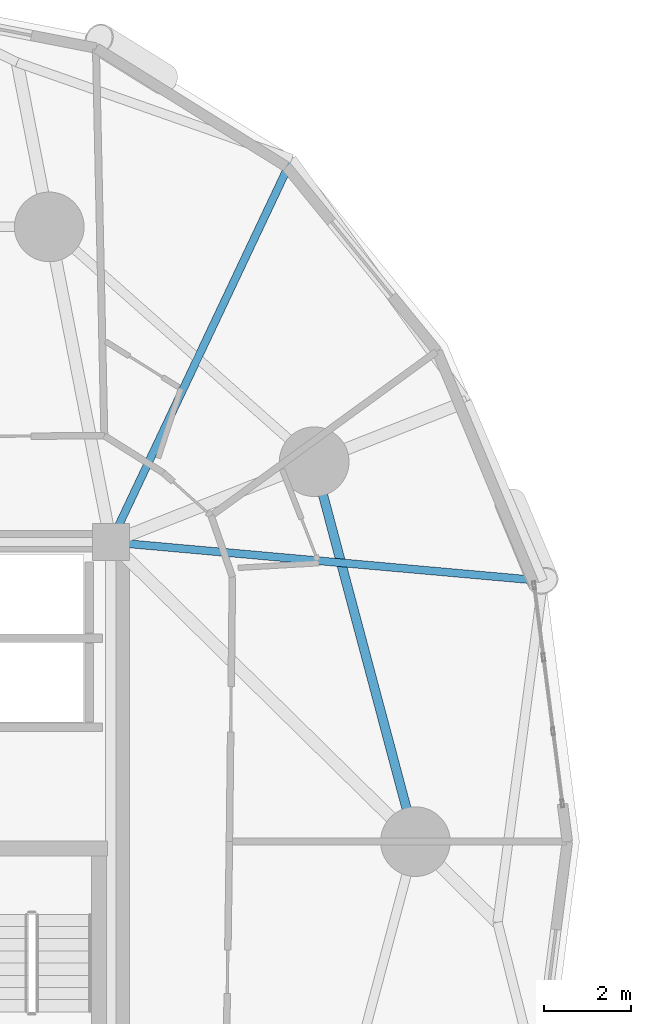
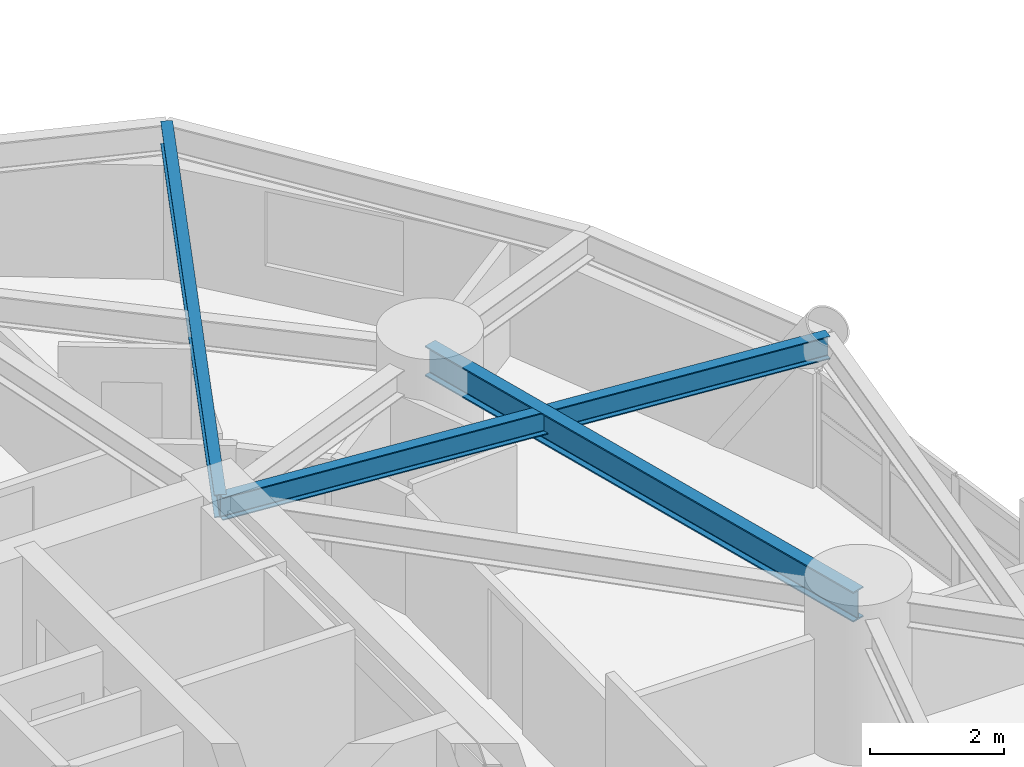
# One storey, part 3 of 18: 3 beams.
"""IFC4 building model written with IfcOpenShell, lengths in metres."""

from ifc_helpers import new_model, si_unit, direction, frame, origin, origin_2d, place, context, subcontext, project, spatial, i_section, extrude, material, material_profile, profile_set, type_object, element, save


model = new_model("IFC4")

# Units and contexts
model_context = context("Model", 3, precision=1e-05, world=origin(), true_north=direction((0.0, 1.0)))
body_context = subcontext(model_context, "Body", "Model", "MODEL_VIEW")
ifc_project = project(units=[si_unit("LENGTHUNIT", "METRE"), si_unit("AREAUNIT", "SQUARE_METRE"), si_unit("VOLUMEUNIT", "CUBIC_METRE"), si_unit("PLANEANGLEUNIT", "RADIAN"), si_unit("MASSUNIT", "GRAM", prefix="KILO")], contexts=[model_context])

# Site, building, storey
site_placement = place(None, origin())
site = spatial("IfcSite", under=ifc_project, at=site_placement, CompositionType="ELEMENT")
building_placement = place(site_placement, origin())
building = spatial("IfcBuilding", under=site, at=building_placement, Name="Cununo Teusaquillo Station Towers", CompositionType="ELEMENT")
storey_placement = place(building_placement, frame((0.0, 0.0, 54.010009765625)))
storey = spatial("IfcBuildingStorey", under=building, at=storey_placement, Name="L16", CompositionType="ELEMENT", Elevation=54.010009765625)

# Beams
ifc_material_1 = material(Name="Steel ASTM A572 Grade 50", Category="steel")
ifc_material_profile_1 = material_profile(ifc_material_1, i_section(OverallWidth=0.180908203125, OverallDepth=0.4169921875, WebThickness=0.010986328125, FlangeThickness=0.018310546875, FilletRadius=0.012939453125, at=origin_2d()), Name="W16X57")
ifc_profile_set_1 = profile_set([ifc_material_profile_1], Name="Steel ASTM A572 Grade 50")
beam_type_1 = type_object("IfcBeamType", Name="BM-JOIST-1", PredefinedType="JOIST", material=ifc_profile_set_1)
beam_1_placement = place(storey_placement, frame((21.675048828125, 31.3798828125, 2.44140625), z_axis=(0.996024214913, -0.089082901314, 0.0), x_axis=(0.089082901314, 0.996024214913, 0.0)))
element("IfcBeam", 1, at=beam_1_placement, inside=storey, type_object=beam_type_1, Name="L16 Tower A Radial Spandrel Joist V01", PredefinedType="JOIST", context=body_context, shape_type="SweptSolid", body=[
    extrude(i_section(OverallWidth=0.180908203125, OverallDepth=0.4169921875, WebThickness=0.010986328125, FlangeThickness=0.018310546875, FilletRadius=0.012939453125, at=origin_2d()), origin(), (0.0, 0.0, 1.0), 9.97021484375),
])
beam_2_placement = place(storey_placement, frame((21.675048828125, 31.3798828125, 2.44140625), z_axis=(0.427160580437, 0.904175778552, 0.0), x_axis=(-0.904175778552, 0.427160580437, 0.0)))
element("IfcBeam", 2, at=beam_2_placement, inside=storey, type_object=beam_type_1, Name="L16 Tower A Radial Spandrel Joist V03", PredefinedType="JOIST", context=body_context, shape_type="SweptSolid", body=[
    extrude(i_section(OverallWidth=0.180908203125, OverallDepth=0.4169921875, WebThickness=0.010986328125, FlangeThickness=0.018310546875, FilletRadius=0.012939453125, at=origin_2d()), origin(), (0.0, 0.0, 1.0), 9.740234375),
])
ifc_material_2 = material(Name="Steel ASTM A572 Grade 50", Category="steel")
ifc_material_profile_2 = material_profile(ifc_material_2, i_section(OverallWidth=0.214111328125, OverallDepth=0.549072265625, WebThickness=0.0146484375, FlangeThickness=0.023681640625, FilletRadius=0.014892578125, at=origin_2d()), Name="W21X93")
ifc_profile_set_2 = profile_set([ifc_material_profile_2], Name="Steel ASTM A572 Grade 50")
beam_type_2 = type_object("IfcBeamType", Name="BM-RING-Z1", PredefinedType="SPANDREL", material=ifc_profile_set_2)
beam_3_placement = place(storey_placement, frame((28.672119140625, 24.5, 2.37548828125), z_axis=(-0.257363196347, 0.966314744359, 0.0), x_axis=(-0.966314744359, -0.257363196347, 0.0)))
element("IfcBeam", 3, at=beam_3_placement, inside=storey, type_object=beam_type_2, Name="L16 Tower A Structural Column Ring Girder 01", PredefinedType="SPANDREL", context=body_context, shape_type="SweptSolid", body=[
    extrude(i_section(OverallWidth=0.214111328125, OverallDepth=0.549072265625, WebThickness=0.0146484375, FlangeThickness=0.023681640625, FilletRadius=0.014892578125, at=origin_2d()), origin(), (0.0, 0.0, 1.0), 9.03271484375),
])

save(model, "model.ifc")
